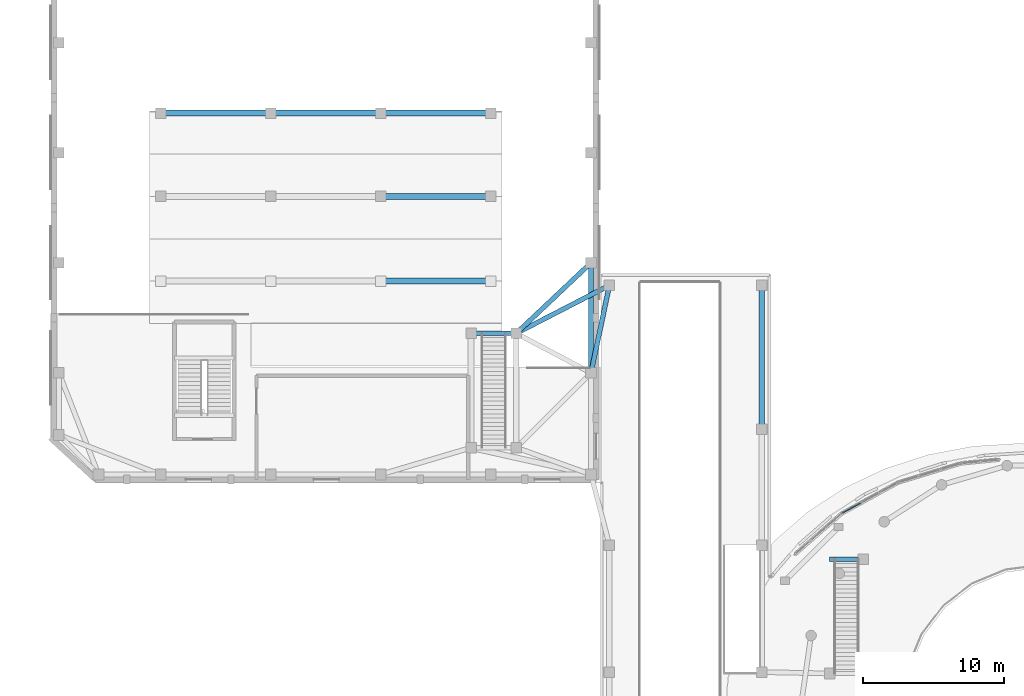
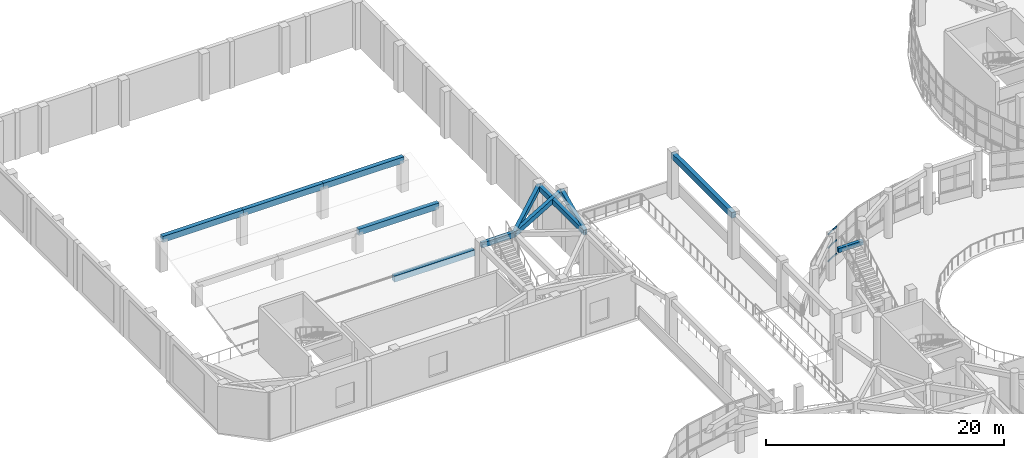
# One storey, part 32 of 98: 12 beams, 3 members, 1 element without a shape of its own.
"""IFC4 building model written with IfcOpenShell, lengths in metres."""

from ifc_helpers import new_model, si_unit, direction, frame, origin, origin_2d, place, context, subcontext, project, spatial, rectangle, hollow_rectangle, extrude, material, layer, layer_set, material_profile, profile_set, type_object, element, aggregate, save


model = new_model("IFC4")

# Units and contexts
model_context = context("Model", 3, precision=1e-05, world=origin(), true_north=direction((0.0, 1.0)))
body_context = subcontext(model_context, "Body", "Model", "MODEL_VIEW")
ifc_project = project(units=[si_unit("LENGTHUNIT", "METRE"), si_unit("AREAUNIT", "SQUARE_METRE"), si_unit("VOLUMEUNIT", "CUBIC_METRE"), si_unit("PLANEANGLEUNIT", "RADIAN"), si_unit("MASSUNIT", "GRAM", prefix="KILO")], contexts=[model_context])

# Site, building, storey
site_placement = place(None, origin())
site = spatial("IfcSite", under=ifc_project, at=site_placement, CompositionType="ELEMENT")
building_placement = place(site_placement, origin())
building = spatial("IfcBuilding", under=site, at=building_placement, Name="Pelvatis Terrace Science Centre", CompositionType="ELEMENT")
storey_placement = place(building_placement, frame((0.0, 0.0, 5.39990234375)))
storey = spatial("IfcBuildingStorey", under=building, at=storey_placement, Name="L01", CompositionType="ELEMENT", Elevation=5.39990234375)

# Beams
ifc_material_1 = material(Name="Concrete C35/45", Category="concrete")
ifc_material_profile_1 = material_profile(ifc_material_1, rectangle(XDim=0.300048828125, YDim=0.449951171875, at=origin_2d()), Name="RC-BM 300x450")
ifc_profile_set_1 = profile_set([ifc_material_profile_1], Name="Concrete C35/45")
beam_type_1 = type_object("IfcBeamType", Name="BM-RC-300x450", PredefinedType="BEAM", material=ifc_profile_set_1)
beam_1_placement = place(storey_placement, frame((63.0, 64.800048828125, 4.550048828125), z_axis=(1.0, 0.0, 0.0), x_axis=(0.0, 1.0, 0.0)))
element("IfcBeam", 1, at=beam_1_placement, inside=storey, type_object=beam_type_1, Name="Monumental stair landing beam 4", PredefinedType="BEAM", context=body_context, shape_type="SweptSolid", body=[
    extrude(rectangle(XDim=0.300048828125, YDim=0.449951171875, at=origin_2d()), origin(), (0.0, 0.0, 1.0), 2.39990234375),
])
ifc_material_2 = material(Name="Concrete C35/45", Category="concrete")
ifc_material_profile_2 = material_profile(ifc_material_2, rectangle(XDim=0.340087890625, YDim=0.52001953125, at=origin_2d()), Name="RC-BM 340x520")
ifc_profile_set_2 = profile_set([ifc_material_profile_2], Name="Concrete C35/45")
beam_type_2 = type_object("IfcBeamType", Name="BM-RC-340x520", PredefinedType="BEAM", material=ifc_profile_set_2)
beam_2_placement = place(storey_placement, frame((46.10009765625, 78.0, 4.280029296875), z_axis=(0.0, 1.0, 0.0), x_axis=(-1.0, 0.0, 0.0)))
element("IfcBeam", 2, at=beam_2_placement, inside=storey, type_object=beam_type_2, Name="Beam BM-L01-2616", PredefinedType="BEAM", context=body_context, shape_type="SweptSolid", body=[
    extrude(rectangle(XDim=0.340087890625, YDim=0.52001953125, at=origin_2d()), origin(), (0.0, 0.0, 1.0), 7.800048828125),
])
beam_3_placement = place(storey_placement, frame((46.10009765625, 78.0, 4.280029296875), z_axis=(0.20518685879, 0.978722817237, 0.0), x_axis=(-0.978722817237, 0.20518685879, 0.0)))
element("IfcBeam", 3, at=beam_3_placement, inside=storey, type_object=beam_type_2, Name="Beam BM-L01-2617", PredefinedType="BEAM", context=body_context, shape_type="SweptSolid", body=[
    extrude(rectangle(XDim=0.340087890625, YDim=0.52001953125, at=origin_2d()), origin(), (0.0, 0.0, 1.0), 6.334716796875),
])
beam_4_placement = place(storey_placement, frame((46.10009765625, 85.800048828125, 4.280029296875), z_axis=(-0.727396808152, -0.686217081899, 0.0), x_axis=(0.686217081899, -0.727396808152, 0.0)))
element("IfcBeam", 4, at=beam_4_placement, inside=storey, type_object=beam_type_2, Name="Beam BM-L01-2620", PredefinedType="BEAM", context=body_context, shape_type="SweptSolid", body=[
    extrude(rectangle(XDim=0.340087890625, YDim=0.52001953125, at=origin_2d()), origin(), (0.0, 0.0, 1.0), 7.286376953125),
])
beam_5_placement = place(storey_placement, frame((47.39990234375, 84.199951171875, 4.280029296875), z_axis=(-0.888975773496, -0.457954227119, 0.0), x_axis=(0.457954227119, -0.888975773496, 0.0)))
element("IfcBeam", 5, at=beam_5_placement, inside=storey, type_object=beam_type_2, Name="Beam BM-L01-2839", PredefinedType="BEAM", context=body_context, shape_type="SweptSolid", body=[
    extrude(rectangle(XDim=0.340087890625, YDim=0.52001953125, at=origin_2d()), origin(), (0.0, 0.0, 1.0), 7.424072265625),
])
beam_6_placement = place(storey_placement, frame((37.60009765625, 80.800048828125, 4.280029296875), z_axis=(1.0, 0.0, 0.0), x_axis=(0.0, 1.0, 0.0)))
element("IfcBeam", 6, at=beam_6_placement, inside=storey, type_object=beam_type_2, Name="Beam BM-L01-2844", PredefinedType="BEAM", context=body_context, shape_type="SweptSolid", body=[
    extrude(rectangle(XDim=0.340087890625, YDim=0.52001953125, at=origin_2d()), origin(), (0.0, 0.0, 1.0), 3.199951171875),
])
ifc_material_3 = material(Name="Concrete C35/45", Category="concrete")
ifc_material_profile_3 = material_profile(ifc_material_3, rectangle(XDim=0.39990234375, YDim=0.60009765625, at=origin_2d()), Name="RC-BM 400x600")
ifc_profile_set_3 = profile_set([ifc_material_profile_3], Name="Concrete C35/45")
beam_type_3 = type_object("IfcBeamType", Name="BM-RC-400x600", PredefinedType="BEAM", material=ifc_profile_set_3)
beam_7_placement = place(storey_placement, frame((58.199951171875, 74.0, 4.239990234375), z_axis=(0.0, 1.0, 0.0), x_axis=(-1.0, 0.0, 0.0)))
element("IfcBeam", 7, at=beam_7_placement, inside=storey, type_object=beam_type_3, Name="Beam BM-L01-2838", PredefinedType="BEAM", context=body_context, shape_type="SweptSolid", body=[
    extrude(rectangle(XDim=0.39990234375, YDim=0.60009765625, at=origin_2d()), origin(), (0.0, 0.0, 1.0), 10.199951171875),
])
ifc_material_4 = material(Name="Concrete C35/45", Category="concrete")
ifc_material_profile_4 = material_profile(ifc_material_4, rectangle(XDim=0.419921875, YDim=0.6201171875, at=origin_2d()), Name="RC-BM 420x620")
ifc_profile_set_4 = profile_set([ifc_material_profile_4], Name="Concrete C35/45")
beam_type_4 = type_object("IfcBeamType", Name="BM-RC-420x620", PredefinedType="BEAM", material=ifc_profile_set_4)
for number, where, z_axis, x_axis, name in (
    (8, (31.199951171875, 84.5, 0.840087890625), (1.0, 0.0, 0.0), (0.0, 1.0, 0.0), "Science Theatre tier support girder 1.3"),
    (9, (31.199951171875, 90.5, 2.010009765625), (1.0, 0.0, 0.0), (0.0, 1.0, 0.0), "Science Theatre tier support girder 2.3"),
):
    element("IfcBeam", number, at=place(storey_placement, frame(where, z_axis=z_axis, x_axis=x_axis)), inside=storey, type_object=beam_type_4, Name=name, PredefinedType="BEAM", context=body_context, shape_type="SweptSolid", body=[
        extrude(rectangle(XDim=0.419921875, YDim=0.6201171875, at=origin_2d()), origin(), (0.0, 0.0, 1.0), 7.800048828125),
    ])
beam_8_placement = place(storey_placement, frame((15.60009765625, 96.39990234375, 3.170166015625), z_axis=(1.0, 0.0, 0.0), x_axis=(0.0, 1.0, 0.0)))
element("IfcBeam", 10, at=beam_8_placement, inside=storey, type_object=beam_type_4, Name="Science Theatre tier support girder 3.1", PredefinedType="BEAM", context=body_context, shape_type="SweptSolid", body=[
    extrude(rectangle(XDim=0.419921875, YDim=0.6201171875, at=origin_2d()), origin(), (0.0, 0.0, 1.0), 7.7998046875),
])
for number, where, z_axis, x_axis, name in (
    (11, (23.39990234375, 96.39990234375, 3.170166015625), (1.0, 0.0, 0.0), (0.0, 1.0, 0.0), "Science Theatre tier support girder 3.2"),
    (12, (31.199951171875, 96.39990234375, 3.170166015625), (1.0, 0.0, 0.0), (0.0, 1.0, 0.0), "Science Theatre tier support girder 3.3"),
):
    element("IfcBeam", number, at=place(storey_placement, frame(where, z_axis=z_axis, x_axis=x_axis)), inside=storey, type_object=beam_type_4, Name=name, PredefinedType="BEAM", context=body_context, shape_type="SweptSolid", body=[
        extrude(rectangle(XDim=0.419921875, YDim=0.6201171875, at=origin_2d()), origin(), (0.0, 0.0, 1.0), 7.800048828125),
    ])

# Curtain wall, members
ifc_material_5 = material(Name="Bronze-anodised aluminium and laminated glass", Category="aluminium")
ifc_layer = layer(ifc_material_5, 0.199951171875)
ifc_layer_set = layer_set([ifc_layer], Name="Bronze-anodised aluminium and laminated glass")
curtain_wall_type = type_object("IfcCurtainWallType", Name="CW-RIBBON-B", PredefinedType="NOTDEFINED", material=ifc_layer_set)
curtain_wall_placement = place(storey_placement, origin())
curtain_wall = element("IfcCurtainWall", 13, at=curtain_wall_placement, inside=storey, type_object=curtain_wall_type, Name="Ribbon curtain wall CW-066 (L01)", PredefinedType="NOTDEFINED")
ifc_material_6 = material(Name="Bronze-anodised aluminium 6063-T6", Category="aluminium")
ifc_material_profile_5 = material_profile(ifc_material_6, hollow_rectangle(XDim=0.06494140625, YDim=0.159912109375, WallThickness=0.00390625, at=origin_2d()), Name="ALU-TRN 65x160")
ifc_profile_set_5 = profile_set([ifc_material_profile_5], Name="Bronze-anodised aluminium 6063-T6")
member_type = type_object("IfcMemberType", Name="CWT-65x160", PredefinedType="USERDEFINED", material=ifc_profile_set_5)
member_1_placement = place(storey_placement, frame((65.177490234375, 68.759765625, 1.052490234375), z_axis=(-0.877046229771, -0.480405985438, 0.0), x_axis=(0.480405985438, -0.877046229771, 0.0)))
member_1 = element("IfcMember", 14, at=member_1_placement, type_object=member_type, Name="CW-066 transom 3.1", ObjectType="TRANSOM", PredefinedType="USERDEFINED", context=body_context, shape_type="SweptSolid", body=[
    extrude(hollow_rectangle(XDim=0.06494140625, YDim=0.159912109375, WallThickness=0.00390625, at=origin_2d()), origin(), (0.0, 0.0, 1.0), 1.41943359375),
])
member_2_placement = place(storey_placement, frame((65.177490234375, 68.759765625, 2.440185546875), z_axis=(-0.877046229771, -0.480405985438, 0.0), x_axis=(0.480405985438, -0.877046229771, 0.0)))
member_2 = element("IfcMember", 15, at=member_2_placement, type_object=member_type, Name="CW-066 transom 3.2", ObjectType="TRANSOM", PredefinedType="USERDEFINED", context=body_context, shape_type="SweptSolid", body=[
    extrude(hollow_rectangle(XDim=0.06494140625, YDim=0.159912109375, WallThickness=0.00390625, at=origin_2d()), origin(), (0.0, 0.0, 1.0), 1.41943359375),
])
member_3_placement = place(storey_placement, frame((65.177490234375, 68.759765625, 3.82763671875), z_axis=(-0.877046229771, -0.480405985438, 0.0), x_axis=(0.480405985438, -0.877046229771, 0.0)))
member_3 = element("IfcMember", 16, at=member_3_placement, type_object=member_type, Name="CW-066 transom 3.3", ObjectType="TRANSOM", PredefinedType="USERDEFINED", context=body_context, shape_type="SweptSolid", body=[
    extrude(hollow_rectangle(XDim=0.06494140625, YDim=0.159912109375, WallThickness=0.00390625, at=origin_2d()), origin(), (0.0, 0.0, 1.0), 1.41943359375),
])
aggregate(curtain_wall, [member_1, member_2, member_3])

save(model, "model.ifc")
